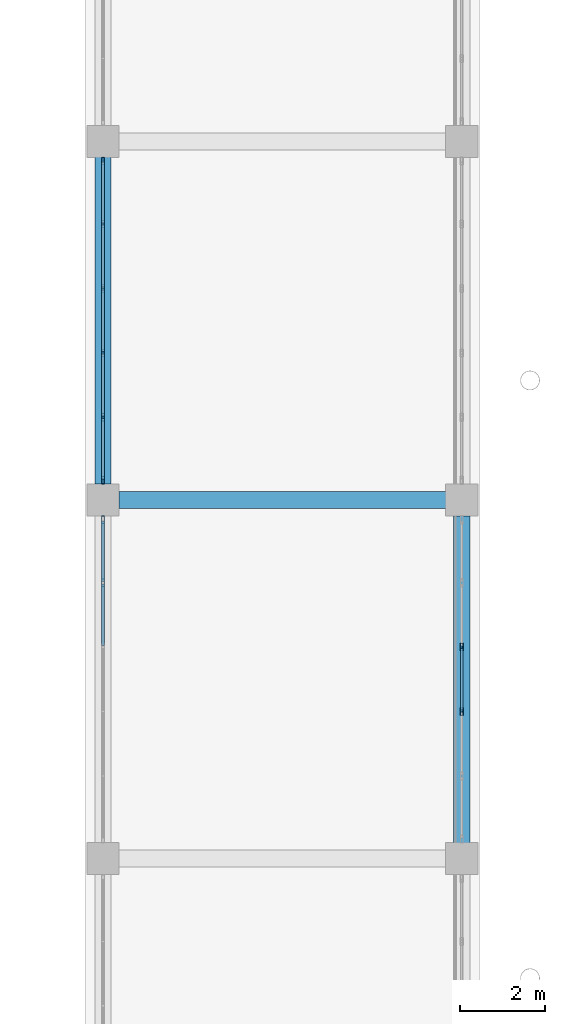
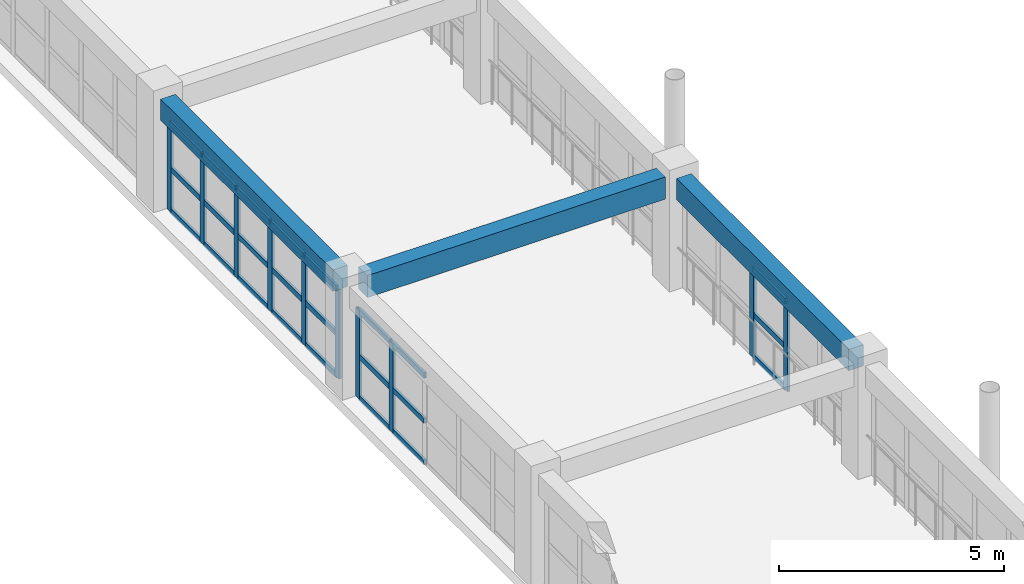
# One storey, part 133 of 200: 34 members, 3 beams, 3 elements without a shape of their own.
"""IFC4 building model written with IfcOpenShell, lengths in metres."""

from ifc_helpers import new_model, si_unit, direction, frame, origin, origin_2d, place, context, subcontext, project, spatial, rectangle, hollow_rectangle, extrude, material, layer, layer_set, material_profile, profile_set, type_object, element, aggregate, save


model = new_model("IFC4")

# Units and contexts
model_context = context("Model", 3, precision=1e-05, world=origin(), true_north=direction((0.0, 1.0)))
body_context = subcontext(model_context, "Body", "Model", "MODEL_VIEW")
ifc_project = project(units=[si_unit("LENGTHUNIT", "METRE"), si_unit("AREAUNIT", "SQUARE_METRE"), si_unit("VOLUMEUNIT", "CUBIC_METRE"), si_unit("PLANEANGLEUNIT", "RADIAN"), si_unit("MASSUNIT", "GRAM", prefix="KILO")], contexts=[model_context])

# Site, building, storey
site_placement = place(None, origin())
site = spatial("IfcSite", under=ifc_project, at=site_placement, CompositionType="ELEMENT")
building_placement = place(site_placement, origin())
building = spatial("IfcBuilding", under=site, at=building_placement, Name="Trelvath General Hospital", CompositionType="ELEMENT")
storey_placement = place(building_placement, frame((0.0, 0.0, 4.800048828125)))
storey = spatial("IfcBuildingStorey", under=building, at=storey_placement, Name="L01", CompositionType="ELEMENT", Elevation=4.800048828125)

# Beams
ifc_material_1 = material(Name="Concrete C35/45", Category="concrete")
ifc_material_profile_1 = material_profile(ifc_material_1, rectangle(XDim=0.3798828125, YDim=0.580078125, at=origin_2d()), Name="RCB380x580")
ifc_profile_set_1 = profile_set([ifc_material_profile_1], Name="Concrete C35/45")
beam_type_1 = type_object("IfcBeamType", Name="Beam RC380x580", PredefinedType="BEAM", material=ifc_profile_set_1)
for number, where, z_axis, x_axis, name in (
    (1, (134.39990234375, 50.77001953125, 2.72998046875), (0.0, 1.0, 0.0), (-1.0, 0.0, 0.0), "Grid Beam BY-116G"),
    (2, (142.800048828125, 42.3701171875, 2.72998046875), (0.0, 1.0, 0.0), (-1.0, 0.0, 0.0), "Grid Beam BY-117F"),
):
    element("IfcBeam", number, at=place(storey_placement, frame(where, z_axis=z_axis, x_axis=x_axis)), inside=storey, type_object=beam_type_1, Name=name, PredefinedType="BEAM", context=body_context, shape_type="SweptSolid", body=[
        extrude(rectangle(XDim=0.3798828125, YDim=0.580078125, at=origin_2d()), origin(), (0.0, 0.0, 1.0), 7.659912109375),
    ])
ifc_material_2 = material(Name="Concrete C35/45", Category="concrete")
ifc_material_profile_2 = material_profile(ifc_material_2, rectangle(XDim=0.39990234375, YDim=0.60009765625, at=origin_2d()), Name="RCB400x600")
ifc_profile_set_2 = profile_set([ifc_material_profile_2], Name="Concrete C35/45")
beam_type_2 = type_object("IfcBeamType", Name="Beam RC400x600", PredefinedType="BEAM", material=ifc_profile_set_2)
beam_placement = place(storey_placement, frame((134.77001953125, 50.39990234375, 2.719970703125), z_axis=(1.0, 0.0, 0.0), x_axis=(0.0, 1.0, 0.0)))
element("IfcBeam", 3, at=beam_placement, inside=storey, type_object=beam_type_2, Name="Grid Beam BX-116G", PredefinedType="BEAM", context=body_context, shape_type="SweptSolid", body=[
    extrude(rectangle(XDim=0.39990234375, YDim=0.60009765625, at=origin_2d()), origin(), (0.0, 0.0, 1.0), 7.659912109375),
])

# Curtain wall, members
ifc_material_3 = material(Name="Anodised aluminium and low-E glass", Category="aluminium")
ifc_layer = layer(ifc_material_3, 0.179931640625)
ifc_layer_set = layer_set([ifc_layer], Name="Anodised aluminium and low-E glass")
curtain_wall_type = type_object("IfcCurtainWallType", Name="CW Facade 754 242 18", PredefinedType="USERDEFINED", material=ifc_layer_set)
curtain_wall_1_placement = place(storey_placement, origin())
curtain_wall_1 = element("IfcCurtainWall", 4, at=curtain_wall_1_placement, inside=storey, type_object=curtain_wall_type, Name="Facade Curtain Wall CW-024", ObjectType="Unitised Glazed Curtain Wall", PredefinedType="USERDEFINED")
ifc_material_4 = material(Name="Anodised aluminium", Category="aluminium")
ifc_material_profile_3 = material_profile(ifc_material_4, hollow_rectangle(XDim=0.06494140625, YDim=0.179931640625, WallThickness=0.0048828125, at=origin_2d()), Name="RHS65x180x5")
ifc_profile_set_3 = profile_set([ifc_material_profile_3], Name="Anodised aluminium")
member_type_1 = type_object("IfcMemberType", Name="CurtainMullion 65x180", PredefinedType="MULLION", material=ifc_profile_set_3)
member_1_placement = place(storey_placement, frame((134.39990234375, 48.4619140625, 0.0), z_axis=(0.0, 0.0, 1.0), x_axis=(-1.0, 0.0, 0.0)))
member_1 = element("IfcMember", 5, at=member_1_placement, type_object=member_type_1, Name="CW-024 mullion 5", PredefinedType="MULLION", context=body_context, shape_type="SweptSolid", body=[
    extrude(hollow_rectangle(XDim=0.06494140625, YDim=0.179931640625, WallThickness=0.0048828125, at=origin_2d()), origin(), (0.0, 0.0, 1.0), 2.419921875),
])
member_2_placement = place(storey_placement, frame((134.39990234375, 49.9375, 0.0), z_axis=(0.0, 0.0, 1.0), x_axis=(-1.0, 0.0, 0.0)))
member_2 = element("IfcMember", 6, at=member_2_placement, type_object=member_type_1, Name="CW-024 mullion 6", PredefinedType="MULLION", context=body_context, shape_type="SweptSolid", body=[
    extrude(hollow_rectangle(XDim=0.06494140625, YDim=0.179931640625, WallThickness=0.0048828125, at=origin_2d()), origin(), (0.0, 0.0, 1.0), 2.419921875),
])

curtain_wall_2_placement = place(storey_placement, origin())
curtain_wall_2 = element("IfcCurtainWall", 7, at=curtain_wall_2_placement, inside=storey, type_object=curtain_wall_type, Name="Facade Curtain Wall CW-025", ObjectType="Unitised Glazed Curtain Wall", PredefinedType="USERDEFINED")
member_3_placement = place(storey_placement, frame((142.800048828125, 46.9541015625, 0.0), z_axis=(0.0, 0.0, 1.0), x_axis=(1.0, 0.0, 0.0)))
member_3 = element("IfcMember", 8, at=member_3_placement, type_object=member_type_1, Name="CW-025 mullion 3", PredefinedType="MULLION", context=body_context, shape_type="SweptSolid", body=[
    extrude(hollow_rectangle(XDim=0.06494140625, YDim=0.179931640625, WallThickness=0.0048828125, at=origin_2d()), origin(), (0.0, 0.0, 1.0), 2.419921875),
])
member_4_placement = place(storey_placement, frame((142.800048828125, 45.446044921875, 0.0), z_axis=(0.0, 0.0, 1.0), x_axis=(1.0, 0.0, 0.0)))
member_4 = element("IfcMember", 9, at=member_4_placement, type_object=member_type_1, Name="CW-025 mullion 4", PredefinedType="MULLION", context=body_context, shape_type="SweptSolid", body=[
    extrude(hollow_rectangle(XDim=0.06494140625, YDim=0.179931640625, WallThickness=0.0048828125, at=origin_2d()), origin(), (0.0, 0.0, 1.0), 2.419921875),
])

curtain_wall_3_placement = place(storey_placement, origin())
curtain_wall_3 = element("IfcCurtainWall", 10, at=curtain_wall_3_placement, inside=storey, type_object=curtain_wall_type, Name="Facade Curtain Wall CW-026", ObjectType="Unitised Glazed Curtain Wall", PredefinedType="USERDEFINED")
member_5_placement = place(storey_placement, frame((134.39990234375, 50.862548828125, 0.0), z_axis=(0.0, 0.0, 1.0), x_axis=(-1.0, 0.0, 0.0)))
member_5 = element("IfcMember", 11, at=member_5_placement, type_object=member_type_1, Name="CW-026 mullion 1", PredefinedType="MULLION", context=body_context, shape_type="SweptSolid", body=[
    extrude(hollow_rectangle(XDim=0.06494140625, YDim=0.179931640625, WallThickness=0.0048828125, at=origin_2d()), origin(), (0.0, 0.0, 1.0), 2.419921875),
])
member_6_placement = place(storey_placement, frame((134.39990234375, 52.337890625, 0.0), z_axis=(0.0, 0.0, 1.0), x_axis=(-1.0, 0.0, 0.0)))
member_6 = element("IfcMember", 12, at=member_6_placement, type_object=member_type_1, Name="CW-026 mullion 2", PredefinedType="MULLION", context=body_context, shape_type="SweptSolid", body=[
    extrude(hollow_rectangle(XDim=0.06494140625, YDim=0.179931640625, WallThickness=0.0048828125, at=origin_2d()), origin(), (0.0, 0.0, 1.0), 2.419921875),
])
member_7_placement = place(storey_placement, frame((134.39990234375, 53.845947265625, 0.0), z_axis=(0.0, 0.0, 1.0), x_axis=(-1.0, 0.0, 0.0)))
member_7 = element("IfcMember", 13, at=member_7_placement, type_object=member_type_1, Name="CW-026 mullion 3", PredefinedType="MULLION", context=body_context, shape_type="SweptSolid", body=[
    extrude(hollow_rectangle(XDim=0.06494140625, YDim=0.179931640625, WallThickness=0.0048828125, at=origin_2d()), origin(), (0.0, 0.0, 1.0), 2.419921875),
])
member_8_placement = place(storey_placement, frame((134.39990234375, 55.35400390625, 0.0), z_axis=(0.0, 0.0, 1.0), x_axis=(-1.0, 0.0, 0.0)))
member_8 = element("IfcMember", 14, at=member_8_placement, type_object=member_type_1, Name="CW-026 mullion 4", PredefinedType="MULLION", context=body_context, shape_type="SweptSolid", body=[
    extrude(hollow_rectangle(XDim=0.06494140625, YDim=0.179931640625, WallThickness=0.0048828125, at=origin_2d()), origin(), (0.0, 0.0, 1.0), 2.419921875),
])
member_9_placement = place(storey_placement, frame((134.39990234375, 56.862060546875, 0.0), z_axis=(0.0, 0.0, 1.0), x_axis=(-1.0, 0.0, 0.0)))
member_9 = element("IfcMember", 15, at=member_9_placement, type_object=member_type_1, Name="CW-026 mullion 5", PredefinedType="MULLION", context=body_context, shape_type="SweptSolid", body=[
    extrude(hollow_rectangle(XDim=0.06494140625, YDim=0.179931640625, WallThickness=0.0048828125, at=origin_2d()), origin(), (0.0, 0.0, 1.0), 2.419921875),
])
member_10_placement = place(storey_placement, frame((134.39990234375, 58.33740234375, 0.0), z_axis=(0.0, 0.0, 1.0), x_axis=(-1.0, 0.0, 0.0)))
member_10 = element("IfcMember", 16, at=member_10_placement, type_object=member_type_1, Name="CW-026 mullion 6", PredefinedType="MULLION", context=body_context, shape_type="SweptSolid", body=[
    extrude(hollow_rectangle(XDim=0.06494140625, YDim=0.179931640625, WallThickness=0.0048828125, at=origin_2d()), origin(), (0.0, 0.0, 1.0), 2.419921875),
])

# Member
ifc_material_5 = material(Name="Anodised aluminium", Category="aluminium")
ifc_material_profile_4 = material_profile(ifc_material_5, hollow_rectangle(XDim=0.06494140625, YDim=0.14501953125, WallThickness=0.00390625, at=origin_2d()), Name="RHS65x145x4")
ifc_profile_set_4 = profile_set([ifc_material_profile_4], Name="Anodised aluminium")
member_type_2 = type_object("IfcMemberType", Name="CurtainTransom 65x145", PredefinedType="USERDEFINED", material=ifc_profile_set_4)
member_11_placement = place(storey_placement, frame((134.39990234375, 46.986572265625, 0.032470703125), z_axis=(0.0, 1.0, 0.0), x_axis=(-1.0, 0.0, 0.0)))
member_11 = element("IfcMember", 17, at=member_11_placement, type_object=member_type_2, Name="CW-024 transom 4.1", ObjectType="TRANSOM", PredefinedType="USERDEFINED", context=body_context, shape_type="SweptSolid", body=[
    extrude(hollow_rectangle(XDim=0.06494140625, YDim=0.14501953125, WallThickness=0.00390625, at=origin_2d()), origin(), (0.0, 0.0, 1.0), 1.44287109375),
])

member_12_placement = place(storey_placement, frame((134.39990234375, 46.986572265625, 1.161865234375), z_axis=(0.0, 1.0, 0.0), x_axis=(-1.0, 0.0, 0.0)))
member_12 = element("IfcMember", 18, at=member_12_placement, type_object=member_type_2, Name="CW-024 transom 4.2", ObjectType="TRANSOM", PredefinedType="USERDEFINED", context=body_context, shape_type="SweptSolid", body=[
    extrude(hollow_rectangle(XDim=0.06494140625, YDim=0.14501953125, WallThickness=0.00390625, at=origin_2d()), origin(), (0.0, 0.0, 1.0), 1.44287109375),
])

member_13_placement = place(storey_placement, frame((134.39990234375, 46.986572265625, 2.387451171875), z_axis=(0.0, 1.0, 0.0), x_axis=(-1.0, 0.0, 0.0)))
member_13 = element("IfcMember", 19, at=member_13_placement, type_object=member_type_2, Name="CW-024 transom 4.3", ObjectType="TRANSOM", PredefinedType="USERDEFINED", context=body_context, shape_type="SweptSolid", body=[
    extrude(hollow_rectangle(XDim=0.06494140625, YDim=0.14501953125, WallThickness=0.00390625, at=origin_2d()), origin(), (0.0, 0.0, 1.0), 1.44287109375),
])

member_14_placement = place(storey_placement, frame((134.39990234375, 48.494384765625, 0.032470703125), z_axis=(0.0, 1.0, 0.0), x_axis=(-1.0, 0.0, 0.0)))
member_14 = element("IfcMember", 20, at=member_14_placement, type_object=member_type_2, Name="CW-024 transom 5.1", ObjectType="TRANSOM", PredefinedType="USERDEFINED", context=body_context, shape_type="SweptSolid", body=[
    extrude(hollow_rectangle(XDim=0.06494140625, YDim=0.14501953125, WallThickness=0.00390625, at=origin_2d()), origin(), (0.0, 0.0, 1.0), 1.41064453125),
])

member_15_placement = place(storey_placement, frame((134.39990234375, 48.494384765625, 1.161865234375), z_axis=(0.0, 1.0, 0.0), x_axis=(-1.0, 0.0, 0.0)))
member_15 = element("IfcMember", 21, at=member_15_placement, type_object=member_type_2, Name="CW-024 transom 5.2", ObjectType="TRANSOM", PredefinedType="USERDEFINED", context=body_context, shape_type="SweptSolid", body=[
    extrude(hollow_rectangle(XDim=0.06494140625, YDim=0.14501953125, WallThickness=0.00390625, at=origin_2d()), origin(), (0.0, 0.0, 1.0), 1.41064453125),
])

member_16_placement = place(storey_placement, frame((134.39990234375, 48.494384765625, 2.387451171875), z_axis=(0.0, 1.0, 0.0), x_axis=(-1.0, 0.0, 0.0)))
member_16 = element("IfcMember", 22, at=member_16_placement, type_object=member_type_2, Name="CW-024 transom 5.3", ObjectType="TRANSOM", PredefinedType="USERDEFINED", context=body_context, shape_type="SweptSolid", body=[
    extrude(hollow_rectangle(XDim=0.06494140625, YDim=0.14501953125, WallThickness=0.00390625, at=origin_2d()), origin(), (0.0, 0.0, 1.0), 1.41064453125),
])

aggregate(curtain_wall_1, [member_1, member_2, member_11, member_12, member_13, member_14, member_15, member_16])

member_17_placement = place(storey_placement, frame((142.800048828125, 46.92138671875, 0.032470703125), z_axis=(0.0, -1.0, 0.0), x_axis=(1.0, 0.0, 0.0)))
member_17 = element("IfcMember", 23, at=member_17_placement, type_object=member_type_2, Name="CW-025 transom 3.1", ObjectType="TRANSOM", PredefinedType="USERDEFINED", context=body_context, shape_type="SweptSolid", body=[
    extrude(hollow_rectangle(XDim=0.06494140625, YDim=0.14501953125, WallThickness=0.00390625, at=origin_2d()), origin(), (0.0, 0.0, 1.0), 1.44287109375),
])

member_18_placement = place(storey_placement, frame((142.800048828125, 46.92138671875, 1.161865234375), z_axis=(0.0, -1.0, 0.0), x_axis=(1.0, 0.0, 0.0)))
member_18 = element("IfcMember", 24, at=member_18_placement, type_object=member_type_2, Name="CW-025 transom 3.2", ObjectType="TRANSOM", PredefinedType="USERDEFINED", context=body_context, shape_type="SweptSolid", body=[
    extrude(hollow_rectangle(XDim=0.06494140625, YDim=0.14501953125, WallThickness=0.00390625, at=origin_2d()), origin(), (0.0, 0.0, 1.0), 1.44287109375),
])

member_19_placement = place(storey_placement, frame((142.800048828125, 46.92138671875, 2.387451171875), z_axis=(0.0, -1.0, 0.0), x_axis=(1.0, 0.0, 0.0)))
member_19 = element("IfcMember", 25, at=member_19_placement, type_object=member_type_2, Name="CW-025 transom 3.3", ObjectType="TRANSOM", PredefinedType="USERDEFINED", context=body_context, shape_type="SweptSolid", body=[
    extrude(hollow_rectangle(XDim=0.06494140625, YDim=0.14501953125, WallThickness=0.00390625, at=origin_2d()), origin(), (0.0, 0.0, 1.0), 1.44287109375),
])

aggregate(curtain_wall_2, [member_3, member_4, member_17, member_18, member_19])

member_20_placement = place(storey_placement, frame((134.39990234375, 50.89501953125, 0.032470703125), z_axis=(0.0, 1.0, 0.0), x_axis=(-1.0, 0.0, 0.0)))
member_20 = element("IfcMember", 26, at=member_20_placement, type_object=member_type_2, Name="CW-026 transom 1.1", ObjectType="TRANSOM", PredefinedType="USERDEFINED", context=body_context, shape_type="SweptSolid", body=[
    extrude(hollow_rectangle(XDim=0.06494140625, YDim=0.14501953125, WallThickness=0.00390625, at=origin_2d()), origin(), (0.0, 0.0, 1.0), 1.410400390625),
])

member_21_placement = place(storey_placement, frame((134.39990234375, 50.89501953125, 1.161865234375), z_axis=(0.0, 1.0, 0.0), x_axis=(-1.0, 0.0, 0.0)))
member_21 = element("IfcMember", 27, at=member_21_placement, type_object=member_type_2, Name="CW-026 transom 1.2", ObjectType="TRANSOM", PredefinedType="USERDEFINED", context=body_context, shape_type="SweptSolid", body=[
    extrude(hollow_rectangle(XDim=0.06494140625, YDim=0.14501953125, WallThickness=0.00390625, at=origin_2d()), origin(), (0.0, 0.0, 1.0), 1.410400390625),
])

member_22_placement = place(storey_placement, frame((134.39990234375, 50.89501953125, 2.387451171875), z_axis=(0.0, 1.0, 0.0), x_axis=(-1.0, 0.0, 0.0)))
member_22 = element("IfcMember", 28, at=member_22_placement, type_object=member_type_2, Name="CW-026 transom 1.3", ObjectType="TRANSOM", PredefinedType="USERDEFINED", context=body_context, shape_type="SweptSolid", body=[
    extrude(hollow_rectangle(XDim=0.06494140625, YDim=0.14501953125, WallThickness=0.00390625, at=origin_2d()), origin(), (0.0, 0.0, 1.0), 1.410400390625),
])

member_23_placement = place(storey_placement, frame((134.39990234375, 52.37060546875, 0.032470703125), z_axis=(0.0, 1.0, 0.0), x_axis=(-1.0, 0.0, 0.0)))
member_23 = element("IfcMember", 29, at=member_23_placement, type_object=member_type_2, Name="CW-026 transom 2.1", ObjectType="TRANSOM", PredefinedType="USERDEFINED", context=body_context, shape_type="SweptSolid", body=[
    extrude(hollow_rectangle(XDim=0.06494140625, YDim=0.14501953125, WallThickness=0.00390625, at=origin_2d()), origin(), (0.0, 0.0, 1.0), 1.44287109375),
])

member_24_placement = place(storey_placement, frame((134.39990234375, 52.37060546875, 1.161865234375), z_axis=(0.0, 1.0, 0.0), x_axis=(-1.0, 0.0, 0.0)))
member_24 = element("IfcMember", 30, at=member_24_placement, type_object=member_type_2, Name="CW-026 transom 2.2", ObjectType="TRANSOM", PredefinedType="USERDEFINED", context=body_context, shape_type="SweptSolid", body=[
    extrude(hollow_rectangle(XDim=0.06494140625, YDim=0.14501953125, WallThickness=0.00390625, at=origin_2d()), origin(), (0.0, 0.0, 1.0), 1.44287109375),
])

member_25_placement = place(storey_placement, frame((134.39990234375, 52.37060546875, 2.387451171875), z_axis=(0.0, 1.0, 0.0), x_axis=(-1.0, 0.0, 0.0)))
member_25 = element("IfcMember", 31, at=member_25_placement, type_object=member_type_2, Name="CW-026 transom 2.3", ObjectType="TRANSOM", PredefinedType="USERDEFINED", context=body_context, shape_type="SweptSolid", body=[
    extrude(hollow_rectangle(XDim=0.06494140625, YDim=0.14501953125, WallThickness=0.00390625, at=origin_2d()), origin(), (0.0, 0.0, 1.0), 1.44287109375),
])

member_26_placement = place(storey_placement, frame((134.39990234375, 53.87841796875, 0.032470703125), z_axis=(0.0, 1.0, 0.0), x_axis=(-1.0, 0.0, 0.0)))
member_26 = element("IfcMember", 32, at=member_26_placement, type_object=member_type_2, Name="CW-026 transom 3.1", ObjectType="TRANSOM", PredefinedType="USERDEFINED", context=body_context, shape_type="SweptSolid", body=[
    extrude(hollow_rectangle(XDim=0.06494140625, YDim=0.14501953125, WallThickness=0.00390625, at=origin_2d()), origin(), (0.0, 0.0, 1.0), 1.443115234375),
])

member_27_placement = place(storey_placement, frame((134.39990234375, 53.87841796875, 1.161865234375), z_axis=(0.0, 1.0, 0.0), x_axis=(-1.0, 0.0, 0.0)))
member_27 = element("IfcMember", 33, at=member_27_placement, type_object=member_type_2, Name="CW-026 transom 3.2", ObjectType="TRANSOM", PredefinedType="USERDEFINED", context=body_context, shape_type="SweptSolid", body=[
    extrude(hollow_rectangle(XDim=0.06494140625, YDim=0.14501953125, WallThickness=0.00390625, at=origin_2d()), origin(), (0.0, 0.0, 1.0), 1.443115234375),
])

member_28_placement = place(storey_placement, frame((134.39990234375, 53.87841796875, 2.387451171875), z_axis=(0.0, 1.0, 0.0), x_axis=(-1.0, 0.0, 0.0)))
member_28 = element("IfcMember", 34, at=member_28_placement, type_object=member_type_2, Name="CW-026 transom 3.3", ObjectType="TRANSOM", PredefinedType="USERDEFINED", context=body_context, shape_type="SweptSolid", body=[
    extrude(hollow_rectangle(XDim=0.06494140625, YDim=0.14501953125, WallThickness=0.00390625, at=origin_2d()), origin(), (0.0, 0.0, 1.0), 1.443115234375),
])

member_29_placement = place(storey_placement, frame((134.39990234375, 55.386474609375, 0.032470703125), z_axis=(0.0, 1.0, 0.0), x_axis=(-1.0, 0.0, 0.0)))
member_29 = element("IfcMember", 35, at=member_29_placement, type_object=member_type_2, Name="CW-026 transom 4.1", ObjectType="TRANSOM", PredefinedType="USERDEFINED", context=body_context, shape_type="SweptSolid", body=[
    extrude(hollow_rectangle(XDim=0.06494140625, YDim=0.14501953125, WallThickness=0.00390625, at=origin_2d()), origin(), (0.0, 0.0, 1.0), 1.443115234375),
])

member_30_placement = place(storey_placement, frame((134.39990234375, 55.386474609375, 1.161865234375), z_axis=(0.0, 1.0, 0.0), x_axis=(-1.0, 0.0, 0.0)))
member_30 = element("IfcMember", 36, at=member_30_placement, type_object=member_type_2, Name="CW-026 transom 4.2", ObjectType="TRANSOM", PredefinedType="USERDEFINED", context=body_context, shape_type="SweptSolid", body=[
    extrude(hollow_rectangle(XDim=0.06494140625, YDim=0.14501953125, WallThickness=0.00390625, at=origin_2d()), origin(), (0.0, 0.0, 1.0), 1.443115234375),
])

member_31_placement = place(storey_placement, frame((134.39990234375, 55.386474609375, 2.387451171875), z_axis=(0.0, 1.0, 0.0), x_axis=(-1.0, 0.0, 0.0)))
member_31 = element("IfcMember", 37, at=member_31_placement, type_object=member_type_2, Name="CW-026 transom 4.3", ObjectType="TRANSOM", PredefinedType="USERDEFINED", context=body_context, shape_type="SweptSolid", body=[
    extrude(hollow_rectangle(XDim=0.06494140625, YDim=0.14501953125, WallThickness=0.00390625, at=origin_2d()), origin(), (0.0, 0.0, 1.0), 1.443115234375),
])

member_32_placement = place(storey_placement, frame((134.39990234375, 56.89453125, 0.032470703125), z_axis=(0.0, 1.0, 0.0), x_axis=(-1.0, 0.0, 0.0)))
member_32 = element("IfcMember", 38, at=member_32_placement, type_object=member_type_2, Name="CW-026 transom 5.1", ObjectType="TRANSOM", PredefinedType="USERDEFINED", context=body_context, shape_type="SweptSolid", body=[
    extrude(hollow_rectangle(XDim=0.06494140625, YDim=0.14501953125, WallThickness=0.00390625, at=origin_2d()), origin(), (0.0, 0.0, 1.0), 1.410400390625),
])

member_33_placement = place(storey_placement, frame((134.39990234375, 56.89453125, 1.161865234375), z_axis=(0.0, 1.0, 0.0), x_axis=(-1.0, 0.0, 0.0)))
member_33 = element("IfcMember", 39, at=member_33_placement, type_object=member_type_2, Name="CW-026 transom 5.2", ObjectType="TRANSOM", PredefinedType="USERDEFINED", context=body_context, shape_type="SweptSolid", body=[
    extrude(hollow_rectangle(XDim=0.06494140625, YDim=0.14501953125, WallThickness=0.00390625, at=origin_2d()), origin(), (0.0, 0.0, 1.0), 1.410400390625),
])

member_34_placement = place(storey_placement, frame((134.39990234375, 56.89453125, 2.387451171875), z_axis=(0.0, 1.0, 0.0), x_axis=(-1.0, 0.0, 0.0)))
member_34 = element("IfcMember", 40, at=member_34_placement, type_object=member_type_2, Name="CW-026 transom 5.3", ObjectType="TRANSOM", PredefinedType="USERDEFINED", context=body_context, shape_type="SweptSolid", body=[
    extrude(hollow_rectangle(XDim=0.06494140625, YDim=0.14501953125, WallThickness=0.00390625, at=origin_2d()), origin(), (0.0, 0.0, 1.0), 1.410400390625),
])

aggregate(curtain_wall_3, [member_5, member_6, member_7, member_8, member_9, member_10, member_20, member_21, member_22, member_23, member_24, member_25, member_26, member_27, member_28, member_29, member_30, member_31, member_32, member_33, member_34])

save(model, "model.ifc")
